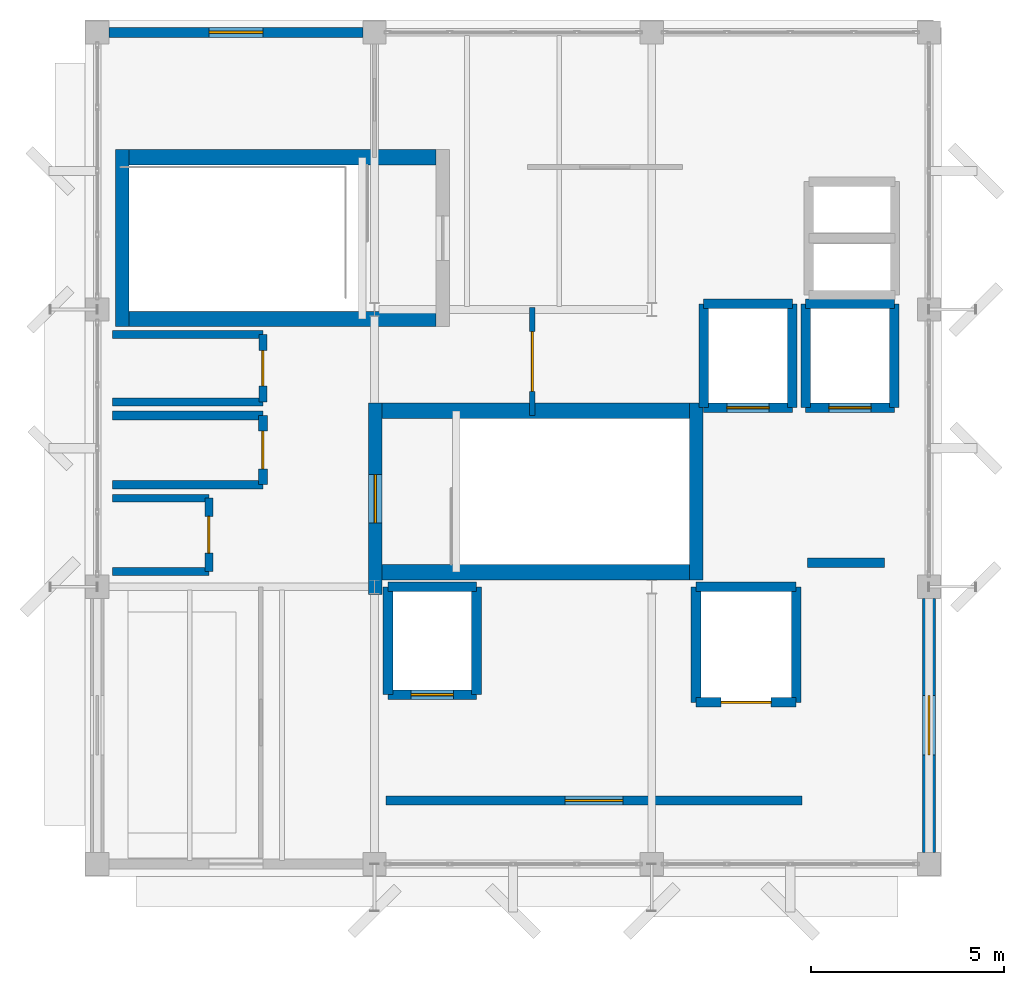
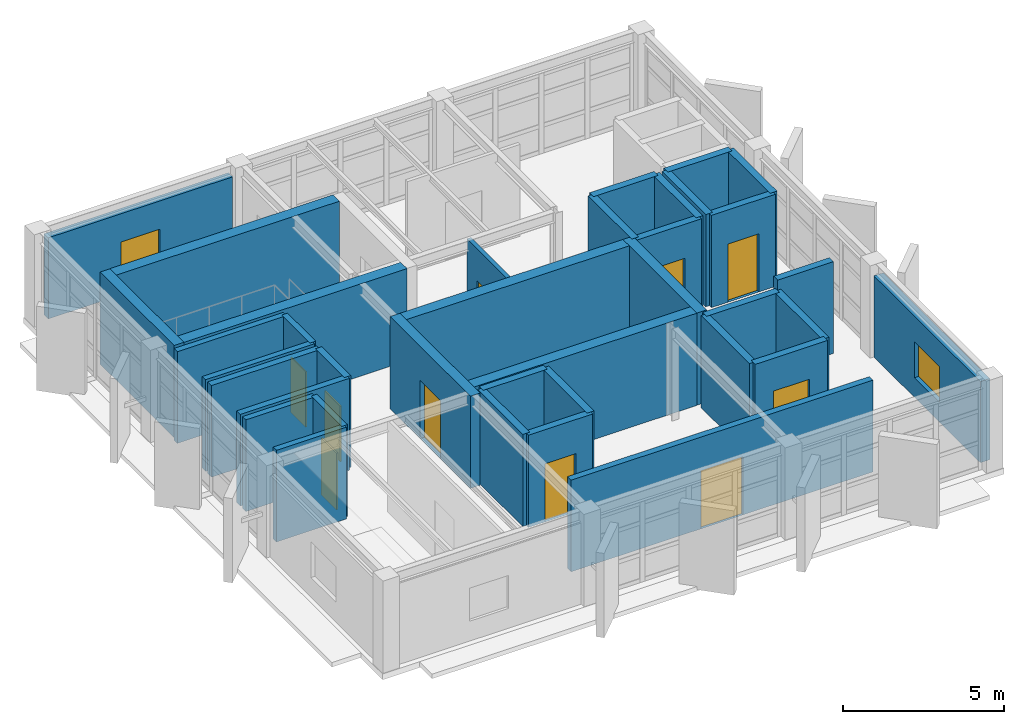
# One storey, part 9 of 13: 37 walls, 10 doors, 2 windows, 12 openings.
"""IFC4 building model written with IfcOpenShell, lengths in metres."""

from ifc_helpers import new_model, si_unit, direction, frame, frame_2d, origin, place, context, subcontext, project, spatial, rectangle, extrude, material, layer, layer_set, type_object, element, fill, save


model = new_model("IFC4")

# Units and contexts
model_context = context("Model", 3, precision=1e-05, world=origin(), true_north=direction((0.0, 1.0)))
body_context = subcontext(model_context, "Body", "Model", "MODEL_VIEW")
ifc_project = project(units=[si_unit("LENGTHUNIT", "METRE"), si_unit("AREAUNIT", "SQUARE_METRE"), si_unit("VOLUMEUNIT", "CUBIC_METRE"), si_unit("PLANEANGLEUNIT", "RADIAN"), si_unit("MASSUNIT", "GRAM", prefix="KILO")], contexts=[model_context])

# Site, building, storey
site_placement = place(None, origin())
site = spatial("IfcSite", under=ifc_project, at=site_placement, CompositionType="ELEMENT")
building_placement = place(site_placement, origin())
building = spatial("IfcBuilding", under=site, at=building_placement, Name="Kandorven Conservatory and Botanical Research Centre", CompositionType="ELEMENT")
storey_placement = place(building_placement, frame((0.0, 0.0, 63.14990234375)))
storey = spatial("IfcBuildingStorey", under=building, at=storey_placement, Name="L16", CompositionType="ELEMENT", Elevation=63.14990234375)

# Walls
ifc_material_1 = material(Name="Concrete C40/50 (M50)", Category="concrete")
ifc_layer_1 = layer(ifc_material_1, 0.39990234375)
ifc_layer_set_1 = layer_set([ifc_layer_1], Name="Concrete C40/50 (M50)")
wall_type_1 = type_object("IfcWallType", Name="Wall_CW-RC-1", PredefinedType="SHEAR", material=ifc_layer_set_1)
for number, where, z_axis, x_axis, name in (
    (1, (13.39990234375, 13.574951171875, 0.0), (0.0, 0.0, 1.0), (1.0, 0.0, 0.0), "Core stair shear wall CW-RC-1 ST-T1 L16 side A"),
    (2, (13.39990234375, 17.77490234375, 0.0), (0.0, 0.0, 1.0), (1.0, 0.0, 0.0), "Core stair shear wall CW-RC-1 ST-T1 L16 side B"),
    (3, (14.800048828125, 24.35498046875, 0.0), (0.0, 0.0, 1.0), (-1.0, 0.0, 0.0), "Core stair shear wall CW-RC-1 ST-T2 L16 side A"),
    (4, (14.800048828125, 20.155029296875, 0.0), (0.0, 0.0, 1.0), (-1.0, 0.0, 0.0), "Core stair shear wall CW-RC-1 ST-T2 L16 side B"),
):
    element("IfcWall", number, at=place(storey_placement, frame(where, z_axis=z_axis, x_axis=x_axis)), inside=storey, type_object=wall_type_1, Name=name, PredefinedType="SHEAR", context=body_context, shape_type="SweptSolid", body=[
        extrude(rectangle(XDim=7.97998046875, YDim=0.39990234375, at=frame_2d((3.989990234375, 0.0))), origin(), (0.0, 0.0, 1.0), 3.489990234375),
    ])

# Wall, opening, door
ifc_material_2 = material(Name="Concrete C40/50 (M50)", Category="concrete")
ifc_layer_2 = layer(ifc_material_2, 0.35009765625)
ifc_layer_set_2 = layer_set([ifc_layer_2], Name="Concrete C40/50 (M50)")
wall_type_2 = type_object("IfcWallType", Name="Wall_CW-RC-2", PredefinedType="SHEAR", material=ifc_layer_set_2)
wall_1_placement = place(storey_placement, frame((13.22509765625, 13.0, 0.0), z_axis=(0.0, 0.0, 1.0), x_axis=(0.0, 1.0, 0.0)))
wall_1 = element("IfcWall", 5, at=wall_1_placement, inside=storey, type_object=wall_type_2, Name="Core stair shear wall CW-RC-2 ST-T1 L16 entry", PredefinedType="SHEAR", context=body_context, shape_type="SweptSolid", body=[
    extrude(rectangle(XDim=4.969970703125, YDim=0.35009765625, at=frame_2d((2.48486328125, 0.0))), origin(), (0.0, 0.0, 1.0), 3.489990234375),
])
opening_1_placement = place(wall_1_placement, frame((1.860107421875, 0.0, 0.0)))
opening_1 = element("IfcOpeningElement", 6, at=opening_1_placement, cuts=wall_1, Name="Opening FD-1", PredefinedType="OPENING", context=body_context, shape_type="SweptSolid", body=[
    extrude(rectangle(XDim=1.25, YDim=2.199951171875, at=frame_2d((0.625, 1.10009765625))), frame((0.0, 0.18505859375, 0.0), z_axis=(0.0, -1.0, 0.0), x_axis=(1.0, 0.0, 0.0)), (0.0, 0.0, 1.0), 0.3701171875),
])
ifc_material_3 = material(Name="Galvanised hollow steel fire door assembly", Category="steel")
door_type_1 = type_object("IfcDoorType", Name="Door_FD-1", OperationType="NOTDEFINED", PredefinedType="DOOR", material=ifc_material_3)
door_1_placement = place(opening_1_placement, origin())
door_1 = element("IfcDoor", 7, at=door_1_placement, inside=storey, type_object=door_type_1, Name="Exit stair fire door FD-1 ST-T1 L16", OperationType="SINGLE_SWING_LEFT", OverallHeight=2.199951171875, OverallWidth=1.25, PredefinedType="DOOR", context=body_context, shape_type="SweptSolid", body=[
    extrude(rectangle(XDim=1.25, YDim=2.199951171875, at=frame_2d((0.625, 1.10009765625))), frame((0.0, 0.02490234375, 0.0), z_axis=(0.0, -1.0, 0.0), x_axis=(1.0, 0.0, 0.0)), (0.0, 0.0, 1.0), 0.050048828125),
])
fill(opening_1, door_1)

# Walls
for number, where, z_axis, x_axis, name in (
    (8, (21.554931640625, 13.3798828125, 0.0), (0.0, 0.0, 1.0), (0.0, 1.0, 0.0), "Core stair shear wall CW-RC-2 ST-T1 L16 far"),
    (9, (6.64501953125, 24.550048828125, 0.0), (0.0, 0.0, 1.0), (0.0, -1.0, 0.0), "Core stair shear wall CW-RC-2 ST-T2 L16 far"),
):
    element("IfcWall", number, at=place(storey_placement, frame(where, z_axis=z_axis, x_axis=x_axis)), inside=storey, type_object=wall_type_2, Name=name, PredefinedType="SHEAR", context=body_context, shape_type="SweptSolid", body=[
        extrude(rectangle(XDim=4.590087890625, YDim=0.35009765625, at=frame_2d((2.294921875, 0.0))), origin(), (0.0, 0.0, 1.0), 3.489990234375),
    ])

# Wall, opening, door
wall_2_placement = place(storey_placement, frame((21.75, 17.85009765625, 0.0), z_axis=(0.0, 0.0, 1.0), x_axis=(1.0, 0.0, 0.0)))
wall_2 = element("IfcWall", 10, at=wall_2_placement, inside=storey, type_object=wall_type_2, Name="Lift shaft wall FFL-1 L16 S", PredefinedType="SHEAR", context=body_context, shape_type="SweptSolid", body=[
    extrude(rectangle(XDim=2.300048828125, YDim=0.25, at=frame_2d((1.14990234375, 0.0))), origin(), (0.0, 0.0, 1.0), 3.489990234375),
])
opening_2_placement = place(wall_2_placement, frame((0.60009765625, 0.0, 0.0)))
opening_2 = element("IfcOpeningElement", 11, at=opening_2_placement, cuts=wall_2, Name="Opening LD-01", PredefinedType="OPENING", context=body_context, shape_type="SweptSolid", body=[
    extrude(rectangle(XDim=1.10009765625, YDim=2.199951171875, at=frame_2d((0.550048828125, 1.10009765625))), frame((0.0, 0.135009765625, 0.0), z_axis=(0.0, -1.0, 0.0), x_axis=(1.0, 0.0, 0.0)), (0.0, 0.0, 1.0), 0.27001953125),
])
ifc_material_4 = material(Name="Anodised aluminium sliding landing door", Category="aluminium")
door_type_2 = type_object("IfcDoorType", Name="Door_LD-01", OperationType="DOUBLE_DOOR_SLIDING", PredefinedType="DOOR", material=ifc_material_4)
door_2_placement = place(opening_2_placement, origin())
door_2 = element("IfcDoor", 12, at=door_2_placement, inside=storey, type_object=door_type_2, Name="Lift landing sliding door LD-01 (FFL-1 L16)", OperationType="DOUBLE_DOOR_SLIDING", OverallHeight=2.199951171875, OverallWidth=1.10009765625, PredefinedType="DOOR", context=body_context, shape_type="SweptSolid", body=[
    extrude(rectangle(XDim=1.10009765625, YDim=2.199951171875, at=frame_2d((0.550048828125, 1.10009765625))), frame((0.0, 0.02490234375, 0.0), z_axis=(0.0, -1.0, 0.0), x_axis=(1.0, 0.0, 0.0)), (0.0, 0.0, 1.0), 0.050048828125),
])
fill(opening_2, door_2)

# Walls
wall_3_placement = place(storey_placement, frame((21.75, 20.550048828125, 0.0), z_axis=(0.0, 0.0, 1.0), x_axis=(1.0, 0.0, 0.0)))
element("IfcWall", 13, at=wall_3_placement, inside=storey, type_object=wall_type_2, Name="Lift shaft wall FFL-1 L16 N", PredefinedType="SHEAR", context=body_context, shape_type="SweptSolid", body=[
    extrude(rectangle(XDim=2.300048828125, YDim=0.25, at=frame_2d((1.14990234375, 0.0))), origin(), (0.0, 0.0, 1.0), 3.489990234375),
])
for number, where, z_axis, x_axis, name in (
    (14, (21.75, 17.85009765625, 0.0), (0.0, 0.0, 1.0), (0.0, 1.0, 0.0), "Lift shaft wall FFL-1 L16 W"),
    (15, (24.050048828125, 17.85009765625, 0.0), (0.0, 0.0, 1.0), (0.0, 1.0, 0.0), "Lift shaft wall FFL-1 L16 E"),
):
    element("IfcWall", number, at=place(storey_placement, frame(where, z_axis=z_axis, x_axis=x_axis)), inside=storey, type_object=wall_type_2, Name=name, PredefinedType="SHEAR", context=body_context, shape_type="SweptSolid", body=[
        extrude(rectangle(XDim=2.699951171875, YDim=0.25, at=frame_2d((1.35009765625, 0.0))), origin(), (0.0, 0.0, 1.0), 3.489990234375),
    ])

# Wall, opening, door
wall_4_placement = place(storey_placement, frame((24.39990234375, 17.85009765625, 0.0), z_axis=(0.0, 0.0, 1.0), x_axis=(1.0, 0.0, 0.0)))
wall_4 = element("IfcWall", 16, at=wall_4_placement, inside=storey, type_object=wall_type_2, Name="Lift shaft wall FFL-2 L16 S", PredefinedType="SHEAR", context=body_context, shape_type="SweptSolid", body=[
    extrude(rectangle(XDim=2.300048828125, YDim=0.25, at=frame_2d((1.14990234375, 0.0))), origin(), (0.0, 0.0, 1.0), 3.489990234375),
])
opening_3_placement = place(wall_4_placement, frame((0.60009765625, 0.0, 0.0)))
opening_3 = element("IfcOpeningElement", 17, at=opening_3_placement, cuts=wall_4, Name="Opening LD-01", PredefinedType="OPENING", context=body_context, shape_type="SweptSolid", body=[
    extrude(rectangle(XDim=1.10009765625, YDim=2.199951171875, at=frame_2d((0.550048828125, 1.10009765625))), frame((0.0, 0.135009765625, 0.0), z_axis=(0.0, -1.0, 0.0), x_axis=(1.0, 0.0, 0.0)), (0.0, 0.0, 1.0), 0.27001953125),
])
door_3_placement = place(opening_3_placement, origin())
door_3 = element("IfcDoor", 18, at=door_3_placement, inside=storey, type_object=door_type_2, Name="Lift landing sliding door LD-01 (FFL-2 L16)", OperationType="DOUBLE_DOOR_SLIDING", OverallHeight=2.199951171875, OverallWidth=1.10009765625, PredefinedType="DOOR", context=body_context, shape_type="SweptSolid", body=[
    extrude(rectangle(XDim=1.10009765625, YDim=2.199951171875, at=frame_2d((0.550048828125, 1.10009765625))), frame((0.0, 0.02490234375, 0.0), z_axis=(0.0, -1.0, 0.0), x_axis=(1.0, 0.0, 0.0)), (0.0, 0.0, 1.0), 0.050048828125),
])
fill(opening_3, door_3)

# Walls
wall_5_placement = place(storey_placement, frame((24.39990234375, 20.550048828125, 0.0), z_axis=(0.0, 0.0, 1.0), x_axis=(1.0, 0.0, 0.0)))
element("IfcWall", 19, at=wall_5_placement, inside=storey, type_object=wall_type_2, Name="Lift shaft wall FFL-2 L16 N", PredefinedType="SHEAR", context=body_context, shape_type="SweptSolid", body=[
    extrude(rectangle(XDim=2.300048828125, YDim=0.25, at=frame_2d((1.14990234375, 0.0))), origin(), (0.0, 0.0, 1.0), 3.489990234375),
])
for number, where, z_axis, x_axis, name in (
    (20, (24.39990234375, 17.85009765625, 0.0), (0.0, 0.0, 1.0), (0.0, 1.0, 0.0), "Lift shaft wall FFL-2 L16 W"),
    (21, (26.699951171875, 17.85009765625, 0.0), (0.0, 0.0, 1.0), (0.0, 1.0, 0.0), "Lift shaft wall FFL-2 L16 E"),
):
    element("IfcWall", number, at=place(storey_placement, frame(where, z_axis=z_axis, x_axis=x_axis)), inside=storey, type_object=wall_type_2, Name=name, PredefinedType="SHEAR", context=body_context, shape_type="SweptSolid", body=[
        extrude(rectangle(XDim=2.699951171875, YDim=0.25, at=frame_2d((1.35009765625, 0.0))), origin(), (0.0, 0.0, 1.0), 3.489990234375),
    ])

# Wall, opening, door
wall_6_placement = place(storey_placement, frame((13.550048828125, 10.39990234375, 0.0), z_axis=(0.0, 0.0, 1.0), x_axis=(1.0, 0.0, 0.0)))
wall_6 = element("IfcWall", 22, at=wall_6_placement, inside=storey, type_object=wall_type_2, Name="Lift shaft wall PL-1 L16 S", PredefinedType="SHEAR", context=body_context, shape_type="SweptSolid", body=[
    extrude(rectangle(XDim=2.300048828125, YDim=0.25, at=frame_2d((1.14990234375, 0.0))), origin(), (0.0, 0.0, 1.0), 3.489990234375),
])
opening_4_placement = place(wall_6_placement, frame((0.60009765625, 0.0, 0.0)))
opening_4 = element("IfcOpeningElement", 23, at=opening_4_placement, cuts=wall_6, Name="Opening LD-01", PredefinedType="OPENING", context=body_context, shape_type="SweptSolid", body=[
    extrude(rectangle(XDim=1.10009765625, YDim=2.199951171875, at=frame_2d((0.550048828125, 1.10009765625))), frame((0.0, 0.135009765625, 0.0), z_axis=(0.0, -1.0, 0.0), x_axis=(1.0, 0.0, 0.0)), (0.0, 0.0, 1.0), 0.27001953125),
])
door_4_placement = place(opening_4_placement, origin())
door_4 = element("IfcDoor", 24, at=door_4_placement, inside=storey, type_object=door_type_2, Name="Lift landing sliding door LD-01 (PL-1 L16)", OperationType="DOUBLE_DOOR_SLIDING", OverallHeight=2.199951171875, OverallWidth=1.10009765625, PredefinedType="DOOR", context=body_context, shape_type="SweptSolid", body=[
    extrude(rectangle(XDim=1.10009765625, YDim=2.199951171875, at=frame_2d((0.550048828125, 1.10009765625))), frame((0.0, 0.02490234375, 0.0), z_axis=(0.0, -1.0, 0.0), x_axis=(1.0, 0.0, 0.0)), (0.0, 0.0, 1.0), 0.050048828125),
])
fill(opening_4, door_4)

# Walls
wall_7_placement = place(storey_placement, frame((13.550048828125, 13.199951171875, 0.0), z_axis=(0.0, 0.0, 1.0), x_axis=(1.0, 0.0, 0.0)))
element("IfcWall", 25, at=wall_7_placement, inside=storey, type_object=wall_type_2, Name="Lift shaft wall PL-1 L16 N", PredefinedType="SHEAR", context=body_context, shape_type="SweptSolid", body=[
    extrude(rectangle(XDim=2.300048828125, YDim=0.25, at=frame_2d((1.14990234375, 0.0))), origin(), (0.0, 0.0, 1.0), 3.489990234375),
])
for number, where, z_axis, x_axis, name in (
    (26, (13.550048828125, 10.39990234375, 0.0), (0.0, 0.0, 1.0), (0.0, 1.0, 0.0), "Lift shaft wall PL-1 L16 W"),
    (27, (15.85009765625, 10.39990234375, 0.0), (0.0, 0.0, 1.0), (0.0, 1.0, 0.0), "Lift shaft wall PL-1 L16 E"),
):
    element("IfcWall", number, at=place(storey_placement, frame(where, z_axis=z_axis, x_axis=x_axis)), inside=storey, type_object=wall_type_2, Name=name, PredefinedType="SHEAR", context=body_context, shape_type="SweptSolid", body=[
        extrude(rectangle(XDim=2.800048828125, YDim=0.25, at=frame_2d((1.39990234375, 0.0))), origin(), (0.0, 0.0, 1.0), 3.489990234375),
    ])

# Wall, opening, door
wall_8_placement = place(storey_placement, frame((21.550048828125, 10.199951171875, 0.0), z_axis=(0.0, 0.0, 1.0), x_axis=(1.0, 0.0, 0.0)))
wall_8 = element("IfcWall", 28, at=wall_8_placement, inside=storey, type_object=wall_type_2, Name="Lift shaft wall GL-1 L16 S", PredefinedType="SHEAR", context=body_context, shape_type="SweptSolid", body=[
    extrude(rectangle(XDim=2.599853515625, YDim=0.25, at=frame_2d((1.2998046875, 0.0))), origin(), (0.0, 0.0, 1.0), 3.489990234375),
])
opening_5_placement = place(wall_8_placement, frame((0.64990234375, 0.0, 0.0)))
opening_5 = element("IfcOpeningElement", 29, at=opening_5_placement, cuts=wall_8, Name="Opening LD-02", PredefinedType="OPENING", context=body_context, shape_type="SweptSolid", body=[
    extrude(rectangle(XDim=1.300048828125, YDim=2.25, at=frame_2d((0.64990234375, 1.125))), frame((0.0, 0.135009765625, 0.0), z_axis=(0.0, -1.0, 0.0), x_axis=(1.0, 0.0, 0.0)), (0.0, 0.0, 1.0), 0.27001953125),
])
ifc_material_5 = material(Name="Anodised aluminium sliding landing door", Category="aluminium")
door_type_3 = type_object("IfcDoorType", Name="Door_LD-02", OperationType="DOUBLE_DOOR_SLIDING", PredefinedType="DOOR", material=ifc_material_5)
door_5_placement = place(opening_5_placement, origin())
door_5 = element("IfcDoor", 30, at=door_5_placement, inside=storey, type_object=door_type_3, Name="Lift landing sliding door LD-02 (GL-1 L16)", OperationType="DOUBLE_DOOR_SLIDING", OverallHeight=2.25, OverallWidth=1.300048828125, PredefinedType="DOOR", context=body_context, shape_type="SweptSolid", body=[
    extrude(rectangle(XDim=1.300048828125, YDim=2.25, at=frame_2d((0.64990234375, 1.125))), frame((0.0, 0.02490234375, 0.0), z_axis=(0.0, -1.0, 0.0), x_axis=(1.0, 0.0, 0.0)), (0.0, 0.0, 1.0), 0.050048828125),
])
fill(opening_5, door_5)

# Walls
wall_9_placement = place(storey_placement, frame((21.550048828125, 13.199951171875, 0.0), z_axis=(0.0, 0.0, 1.0), x_axis=(1.0, 0.0, 0.0)))
element("IfcWall", 31, at=wall_9_placement, inside=storey, type_object=wall_type_2, Name="Lift shaft wall GL-1 L16 N", PredefinedType="SHEAR", context=body_context, shape_type="SweptSolid", body=[
    extrude(rectangle(XDim=2.599853515625, YDim=0.25, at=frame_2d((1.2998046875, 0.0))), origin(), (0.0, 0.0, 1.0), 3.489990234375),
])
for number, where, z_axis, x_axis, name in (
    (32, (21.550048828125, 10.199951171875, 0.0), (0.0, 0.0, 1.0), (0.0, 1.0, 0.0), "Lift shaft wall GL-1 L16 W"),
    (33, (24.14990234375, 10.199951171875, 0.0), (0.0, 0.0, 1.0), (0.0, 1.0, 0.0), "Lift shaft wall GL-1 L16 E"),
):
    element("IfcWall", number, at=place(storey_placement, frame(where, z_axis=z_axis, x_axis=x_axis)), inside=storey, type_object=wall_type_2, Name=name, PredefinedType="SHEAR", context=body_context, shape_type="SweptSolid", body=[
        extrude(rectangle(XDim=3.0, YDim=0.25, at=frame_2d((1.5, 0.0))), origin(), (0.0, 0.0, 1.0), 3.489990234375),
    ])

# Wall, opening, window
ifc_material_6 = material(Name="Concrete C32/40 (M40)", Category="concrete")
ifc_layer_3 = layer(ifc_material_6, 0.340087890625)
ifc_layer_set_3 = layer_set([ifc_layer_3], Name="Concrete C32/40 (M40)")
wall_type_3 = type_object("IfcWallType", Name="Wall_EW-02", PredefinedType="STANDARD", material=ifc_layer_set_3)
wall_10_placement = place(storey_placement, frame((27.60009765625, 6.300048828125, 0.0), z_axis=(0.0, 0.0, 1.0), x_axis=(0.0, 1.0, 0.0)))
wall_10 = element("IfcWall", 34, at=wall_10_placement, inside=storey, type_object=wall_type_3, Name="Tower concrete facade wall EW-02 E L16", PredefinedType="STANDARD", context=body_context, shape_type="SweptSolid", body=[
    extrude(rectangle(XDim=6.599853515625, YDim=0.340087890625, at=frame_2d((3.2998046875, 0.0))), origin(), (0.0, 0.0, 1.0), 3.070068359375),
])
opening_6_placement = place(wall_10_placement, frame((2.52490234375, 0.0, 0.75)))
opening_6 = element("IfcOpeningElement", 35, at=opening_6_placement, cuts=wall_10, Name="Opening W-33", PredefinedType="OPENING", context=body_context, shape_type="SweptSolid", body=[
    extrude(rectangle(XDim=1.550048828125, YDim=1.35009765625, at=frame_2d((0.77490234375, 0.675048828125))), frame((0.0, 0.179931640625, 0.0), z_axis=(0.0, -1.0, 0.0), x_axis=(1.0, 0.0, 0.0)), (0.0, 0.0, 1.0), 0.360107421875),
])
ifc_material_7 = material(Name="Double-glazed solar-control low-E glass", Category="glass")
window_type_1 = type_object("IfcWindowType", Name="Win_W-33", PartitioningType="DOUBLE_PANEL_VERTICAL", PredefinedType="WINDOW", material=ifc_material_7)
window_1_placement = place(opening_6_placement, origin())
window_1 = element("IfcWindow", 36, at=window_1_placement, inside=storey, type_object=window_type_1, Name="Tower recessed solar window W-33", OverallHeight=1.35009765625, OverallWidth=1.550048828125, PartitioningType="SINGLE_PANEL", PredefinedType="WINDOW", context=body_context, shape_type="SweptSolid", body=[
    extrude(rectangle(XDim=1.550048828125, YDim=1.35009765625, at=frame_2d((0.77490234375, 0.675048828125))), frame((0.0, 0.030029296875, 0.0), z_axis=(0.0, -1.0, 0.0), x_axis=(1.0, 0.0, 0.0)), (0.0, 0.0, 1.0), 0.06005859375),
])
fill(opening_6, window_1)

ifc_material_8 = material(Name="Concrete C32/40 (M40)", Category="concrete")
ifc_layer_4 = layer(ifc_material_8, 0.260009765625)
ifc_layer_set_4 = layer_set([ifc_layer_4], Name="Concrete C32/40 (M40)")
wall_type_4 = type_object("IfcWallType", Name="Wall_EW-06", PredefinedType="STANDARD", material=ifc_layer_set_4)
wall_11_placement = place(storey_placement, frame((6.300048828125, 27.60009765625, 0.0), z_axis=(0.0, 0.0, 1.0), x_axis=(1.0, 0.0, 0.0)))
wall_11 = element("IfcWall", 37, at=wall_11_placement, inside=storey, type_object=wall_type_4, Name="Tower concrete facade wall EW-06 N L16", PredefinedType="STANDARD", context=body_context, shape_type="SweptSolid", body=[
    extrude(rectangle(XDim=6.599853515625, YDim=0.260009765625, at=frame_2d((3.2998046875, 0.0))), origin(), (0.0, 0.0, 1.0), 3.070068359375),
])
opening_7_placement = place(wall_11_placement, frame((2.60009765625, 0.0, 0.75)))
opening_7 = element("IfcOpeningElement", 38, at=opening_7_placement, cuts=wall_11, Name="Opening W-46", PredefinedType="OPENING", context=body_context, shape_type="SweptSolid", body=[
    extrude(rectangle(XDim=1.39990234375, YDim=1.25, at=frame_2d((0.699951171875, 0.625))), frame((0.0, 0.139892578125, 0.0), z_axis=(0.0, -1.0, 0.0), x_axis=(1.0, 0.0, 0.0)), (0.0, 0.0, 1.0), 0.280029296875),
])
ifc_material_9 = material(Name="Double-glazed solar-control low-E glass", Category="glass")
window_type_2 = type_object("IfcWindowType", Name="Win_W-46", PartitioningType="DOUBLE_PANEL_VERTICAL", PredefinedType="WINDOW", material=ifc_material_9)
window_2_placement = place(opening_7_placement, origin())
window_2 = element("IfcWindow", 39, at=window_2_placement, inside=storey, type_object=window_type_2, Name="Tower recessed solar window W-46", OverallHeight=1.25, OverallWidth=1.39990234375, PartitioningType="SINGLE_PANEL", PredefinedType="WINDOW", context=body_context, shape_type="SweptSolid", body=[
    extrude(rectangle(XDim=1.39990234375, YDim=1.25, at=frame_2d((0.699951171875, 0.625))), frame((0.0, 0.030029296875, 0.0), z_axis=(0.0, -1.0, 0.0), x_axis=(1.0, 0.0, 0.0)), (0.0, 0.0, 1.0), 0.06005859375),
])
fill(opening_7, window_2)

# Wall, opening, door
ifc_material_10 = material(Name="Fire-rated acoustic gypsum board partition", Category="gypsum")
ifc_layer_5 = layer(ifc_material_10, 0.14599609375)
ifc_layer_set_5 = layer_set([ifc_layer_5], Name="Fire-rated acoustic gypsum board partition")
wall_type_5 = type_object("IfcWallType", Name="Wall_IW-15", PredefinedType="PARTITIONING", material=ifc_layer_set_5)
wall_12_placement = place(storey_placement, frame((17.300048828125, 17.64990234375, 0.0), z_axis=(0.0, 0.0, 1.0), x_axis=(0.0, 1.0, 0.0)))
wall_12 = element("IfcWall", 40, at=wall_12_placement, inside=storey, type_object=wall_type_5, Name="Interior partition wall IW-15 (Botanical Climate Archive Reading Room L16)", PredefinedType="PARTITIONING", context=body_context, shape_type="SweptSolid", body=[
    extrude(rectangle(XDim=2.800048828125, YDim=0.14599609375, at=frame_2d((1.39990234375, 0.0))), origin(), (0.0, 0.0, 1.0), 3.47021484375),
])
opening_8_placement = place(wall_12_placement, frame((0.625, 0.0, 0.0)))
opening_8 = element("IfcOpeningElement", 41, at=opening_8_placement, cuts=wall_12, Name="Opening D-08", PredefinedType="OPENING", context=body_context, shape_type="SweptSolid", body=[
    extrude(rectangle(XDim=1.550048828125, YDim=2.25, at=frame_2d((0.77490234375, 1.125))), frame((0.0, 0.0830078125, 0.0), z_axis=(0.0, -1.0, 0.0), x_axis=(1.0, 0.0, 0.0)), (0.0, 0.0, 1.0), 0.166015625),
])
ifc_material_11 = material(Name="Solid core acoustic teak-veneered timber leaf", Category="wood")
door_type_4 = type_object("IfcDoorType", Name="Door_D-08", OperationType="NOTDEFINED", PredefinedType="DOOR", material=ifc_material_11)
door_6_placement = place(opening_8_placement, frame((1.550048828125, 0.0, 0.0), z_axis=(0.0, 0.0, 1.0), x_axis=(-1.0, 0.0, 0.0)))
door_6 = element("IfcDoor", 42, at=door_6_placement, inside=storey, type_object=door_type_4, Name="Interior door D-08 to Botanical Climate Archive Reading Room L16", OperationType="DOUBLE_DOOR_SINGLE_SWING", OverallHeight=2.25, OverallWidth=1.550048828125, PredefinedType="DOOR", context=body_context, shape_type="SweptSolid", body=[
    extrude(rectangle(XDim=1.550048828125, YDim=2.25, at=frame_2d((0.77490234375, 1.125))), frame((0.0, 0.02490234375, 0.0), z_axis=(0.0, -1.0, 0.0), x_axis=(1.0, 0.0, 0.0)), (0.0, 0.0, 1.0), 0.050048828125),
])
fill(opening_8, door_6)

# Wall
ifc_material_12 = material(Name="Concrete C32/40 (M40)", Category="concrete")
ifc_layer_6 = layer(ifc_material_12, 0.25)
ifc_layer_set_6 = layer_set([ifc_layer_6], Name="Concrete C32/40 (M40)")
wall_type_6 = type_object("IfcWallType", Name="Wall_IW-FR-1", PredefinedType="SOLIDWALL", material=ifc_layer_set_6)
wall_13_placement = place(storey_placement, frame((24.449951171875, 13.820068359375, 0.0), z_axis=(0.0, 0.0, 1.0), x_axis=(1.0, 0.0, 0.0)))
element("IfcWall", 43, at=wall_13_placement, inside=storey, type_object=wall_type_6, Name="Interior fire partition wall IW-FR-1 (Firefighting Lift Lobby L16)", PredefinedType="SOLIDWALL", context=body_context, shape_type="SweptSolid", body=[
    extrude(rectangle(XDim=2.0, YDim=0.25, at=frame_2d((1.0, 0.0))), origin(), (0.0, 0.0, 1.0), 3.47021484375),
])

# Wall, opening, door
ifc_material_13 = material(Name="Concrete C32/40 (M40)", Category="concrete")
ifc_layer_7 = layer(ifc_material_13, 0.22509765625)
ifc_layer_set_7 = layer_set([ifc_layer_7], Name="Concrete C32/40 (M40)")
wall_type_7 = type_object("IfcWallType", Name="Wall_IW-FR-2", PredefinedType="SOLIDWALL", material=ifc_layer_set_7)
wall_14_placement = place(storey_placement, frame((13.5, 7.64990234375, 0.0), z_axis=(0.0, 0.0, 1.0), x_axis=(1.0, 0.0, 0.0)))
wall_14 = element("IfcWall", 44, at=wall_14_placement, inside=storey, type_object=wall_type_7, Name="Interior fire partition wall IW-FR-2 (Alpine and Himalayan Flora Reference Vault L16)", PredefinedType="SOLIDWALL", context=body_context, shape_type="SweptSolid", body=[
    extrude(rectangle(XDim=10.800048828125, YDim=0.22509765625, at=frame_2d((5.39990234375, 0.0))), origin(), (0.0, 0.0, 1.0), 3.47021484375),
])
opening_9_placement = place(wall_14_placement, frame((4.64990234375, 0.0, 0.0)))
opening_9 = element("IfcOpeningElement", 45, at=opening_9_placement, cuts=wall_14, Name="Opening FD-3", PredefinedType="OPENING", context=body_context, shape_type="SweptSolid", body=[
    extrude(rectangle(XDim=1.5, YDim=2.199951171875, at=frame_2d((0.75, 1.10009765625))), frame((0.0, 0.12255859375, 0.0), z_axis=(0.0, -1.0, 0.0), x_axis=(1.0, 0.0, 0.0)), (0.0, 0.0, 1.0), 0.2451171875),
])
ifc_material_14 = material(Name="Galvanised hollow steel fire door assembly", Category="steel")
door_type_5 = type_object("IfcDoorType", Name="Door_FD-3", OperationType="NOTDEFINED", PredefinedType="DOOR", material=ifc_material_14)
door_7_placement = place(opening_9_placement, origin())
door_7 = element("IfcDoor", 46, at=door_7_placement, inside=storey, type_object=door_type_5, Name="Interior door FD-3 to Alpine and Himalayan Flora Reference Vault L16", OperationType="SINGLE_SWING_LEFT", OverallHeight=2.199951171875, OverallWidth=1.5, PredefinedType="DOOR", context=body_context, shape_type="SweptSolid", body=[
    extrude(rectangle(XDim=1.5, YDim=2.199951171875, at=frame_2d((0.75, 1.10009765625))), frame((0.0, 0.02490234375, 0.0), z_axis=(0.0, -1.0, 0.0), x_axis=(1.0, 0.0, 0.0)), (0.0, 0.0, 1.0), 0.050048828125),
])
fill(opening_9, door_7)

ifc_material_15 = material(Name="Autoclaved aerated concrete blockwork masonry", Category="masonry")
ifc_layer_8 = layer(ifc_material_15, 0.22998046875)
ifc_layer_set_8 = layer_set([ifc_layer_8], Name="Autoclaved aerated concrete blockwork masonry")
wall_type_8 = type_object("IfcWallType", Name="Wall_PW-PL-1", PredefinedType="PLUMBINGWALL", material=ifc_layer_set_8)
wall_15_placement = place(storey_placement, frame((10.300048828125, 15.85009765625, 0.0), z_axis=(0.0, 0.0, 1.0), x_axis=(0.0, 1.0, 0.0)))
wall_15 = element("IfcWall", 47, at=wall_15_placement, inside=storey, type_object=wall_type_8, Name="Interior partition wall PW-PL-1 (Staff Female WC L16)", PredefinedType="PLUMBINGWALL", context=body_context, shape_type="SweptSolid", body=[
    extrude(rectangle(XDim=1.7998046875, YDim=0.22998046875, at=frame_2d((0.89990234375, 0.0))), origin(), (0.0, 0.0, 1.0), 3.47021484375),
])
opening_10_placement = place(wall_15_placement, frame((0.409912109375, 0.0, 0.0)))
opening_10 = element("IfcOpeningElement", 48, at=opening_10_placement, cuts=wall_15, Name="Opening D-12", PredefinedType="OPENING", context=body_context, shape_type="SweptSolid", body=[
    extrude(rectangle(XDim=0.97998046875, YDim=2.10009765625, at=frame_2d((0.489990234375, 1.050048828125))), frame((0.0, 0.125, 0.0), z_axis=(0.0, -1.0, 0.0), x_axis=(1.0, 0.0, 0.0)), (0.0, 0.0, 1.0), 0.25),
])
ifc_material_16 = material(Name="Solid core acoustic teak-veneered timber leaf", Category="wood")
door_type_6 = type_object("IfcDoorType", Name="Door_D-12", OperationType="NOTDEFINED", PredefinedType="DOOR", material=ifc_material_16)
door_8_placement = place(opening_10_placement, frame((0.97998046875, 0.0, 0.0), z_axis=(0.0, 0.0, 1.0), x_axis=(-1.0, 0.0, 0.0)))
door_8 = element("IfcDoor", 49, at=door_8_placement, inside=storey, type_object=door_type_6, Name="Interior door D-12 to Staff Female WC L16", OperationType="SINGLE_SWING_RIGHT", OverallHeight=2.10009765625, OverallWidth=0.97998046875, PredefinedType="DOOR", context=body_context, shape_type="SweptSolid", body=[
    extrude(rectangle(XDim=0.97998046875, YDim=2.10009765625, at=frame_2d((0.489990234375, 1.050048828125))), frame((0.0, 0.02490234375, 0.0), z_axis=(0.0, -1.0, 0.0), x_axis=(1.0, 0.0, 0.0)), (0.0, 0.0, 1.0), 0.050048828125),
])
fill(opening_10, door_8)

# Walls
for number, where, z_axis, x_axis, name in (
    (50, (6.39990234375, 15.85009765625, 0.0), (0.0, 0.0, 1.0), (1.0, 0.0, 0.0), "Sanitary enclosure wall PW-PL-1 (Staff Female WC L16 S)"),
    (51, (6.39990234375, 17.64990234375, 0.0), (0.0, 0.0, 1.0), (1.0, 0.0, 0.0), "Sanitary enclosure wall PW-PL-1 (Staff Female WC L16 N)"),
):
    element("IfcWall", number, at=place(storey_placement, frame(where, z_axis=z_axis, x_axis=x_axis)), inside=storey, type_object=wall_type_8, Name=name, PredefinedType="PLUMBINGWALL", context=body_context, shape_type="SweptSolid", body=[
        extrude(rectangle(XDim=3.900146484375, YDim=0.22998046875, at=frame_2d((1.9501953125, 0.0))), origin(), (0.0, 0.0, 1.0), 3.47021484375),
    ])

# Wall, opening, door
ifc_material_17 = material(Name="Autoclaved aerated concrete blockwork masonry", Category="masonry")
ifc_layer_9 = layer(ifc_material_17, 0.205078125)
ifc_layer_set_9 = layer_set([ifc_layer_9], Name="Autoclaved aerated concrete blockwork masonry")
wall_type_9 = type_object("IfcWallType", Name="Wall_PW-PL-2", PredefinedType="PLUMBINGWALL", material=ifc_layer_set_9)
wall_16_placement = place(storey_placement, frame((8.89990234375, 13.60009765625, 0.0), z_axis=(0.0, 0.0, 1.0), x_axis=(0.0, 1.0, 0.0)))
wall_16 = element("IfcWall", 52, at=wall_16_placement, inside=storey, type_object=wall_type_9, Name="Interior partition wall PW-PL-2 (Accessible WC L16)", PredefinedType="PLUMBINGWALL", context=body_context, shape_type="SweptSolid", body=[
    extrude(rectangle(XDim=1.89990234375, YDim=0.205078125, at=frame_2d((0.949951171875, 0.0))), origin(), (0.0, 0.0, 1.0), 3.47021484375),
])
opening_11_placement = place(wall_16_placement, frame((0.47509765625, 0.0, 0.0)))
opening_11 = element("IfcOpeningElement", 53, at=opening_11_placement, cuts=wall_16, Name="Opening D-01", PredefinedType="OPENING", context=body_context, shape_type="SweptSolid", body=[
    extrude(rectangle(XDim=0.949951171875, YDim=2.14990234375, at=frame_2d((0.47509765625, 1.074951171875))), frame((0.0, 0.112548828125, 0.0), z_axis=(0.0, -1.0, 0.0), x_axis=(1.0, 0.0, 0.0)), (0.0, 0.0, 1.0), 0.22509765625),
])
ifc_material_18 = material(Name="Solid core acoustic teak-veneered timber leaf", Category="wood")
door_type_7 = type_object("IfcDoorType", Name="Door_D-01", OperationType="NOTDEFINED", PredefinedType="DOOR", material=ifc_material_18)
door_9_placement = place(opening_11_placement, origin())
door_9 = element("IfcDoor", 54, at=door_9_placement, inside=storey, type_object=door_type_7, Name="Interior door D-01 to Accessible WC L16", OperationType="SINGLE_SWING_LEFT", OverallHeight=2.14990234375, OverallWidth=0.949951171875, PredefinedType="DOOR", context=body_context, shape_type="SweptSolid", body=[
    extrude(rectangle(XDim=0.949951171875, YDim=2.14990234375, at=frame_2d((0.47509765625, 1.074951171875))), frame((0.0, 0.02490234375, 0.0), z_axis=(0.0, -1.0, 0.0), x_axis=(1.0, 0.0, 0.0)), (0.0, 0.0, 1.0), 0.050048828125),
])
fill(opening_11, door_9)

# Walls
for number, where, z_axis, x_axis, name in (
    (55, (6.39990234375, 13.60009765625, 0.0), (0.0, 0.0, 1.0), (1.0, 0.0, 0.0), "Sanitary enclosure wall PW-PL-2 (Accessible WC L16 S)"),
    (56, (6.39990234375, 15.5, 0.0), (0.0, 0.0, 1.0), (1.0, 0.0, 0.0), "Sanitary enclosure wall PW-PL-2 (Accessible WC L16 N)"),
):
    element("IfcWall", number, at=place(storey_placement, frame(where, z_axis=z_axis, x_axis=x_axis)), inside=storey, type_object=wall_type_9, Name=name, PredefinedType="PLUMBINGWALL", context=body_context, shape_type="SweptSolid", body=[
        extrude(rectangle(XDim=2.5, YDim=0.205078125, at=frame_2d((1.25, 0.0))), origin(), (0.0, 0.0, 1.0), 3.47021484375),
    ])

# Wall, opening, door
wall_17_placement = place(storey_placement, frame((10.300048828125, 18.0, 0.0), z_axis=(0.0, 0.0, 1.0), x_axis=(0.0, 1.0, 0.0)))
wall_17 = element("IfcWall", 57, at=wall_17_placement, inside=storey, type_object=wall_type_9, Name="Interior partition wall PW-PL-2 (Staff Male WC L16)", PredefinedType="PLUMBINGWALL", context=body_context, shape_type="SweptSolid", body=[
    extrude(rectangle(XDim=1.75, YDim=0.205078125, at=frame_2d((0.875, 0.0))), origin(), (0.0, 0.0, 1.0), 3.47021484375),
])
opening_12_placement = place(wall_17_placement, frame((0.4150390625, 0.0, 0.0)))
opening_12 = element("IfcOpeningElement", 58, at=opening_12_placement, cuts=wall_17, Name="Opening D-11", PredefinedType="OPENING", context=body_context, shape_type="SweptSolid", body=[
    extrude(rectangle(XDim=0.919921875, YDim=2.10009765625, at=frame_2d((0.4599609375, 1.050048828125))), frame((0.0, 0.112548828125, 0.0), z_axis=(0.0, -1.0, 0.0), x_axis=(1.0, 0.0, 0.0)), (0.0, 0.0, 1.0), 0.22509765625),
])
ifc_material_19 = material(Name="Solid core acoustic teak-veneered timber leaf", Category="wood")
door_type_8 = type_object("IfcDoorType", Name="Door_D-11", OperationType="NOTDEFINED", PredefinedType="DOOR", material=ifc_material_19)
door_10_placement = place(opening_12_placement, origin())
door_10 = element("IfcDoor", 59, at=door_10_placement, inside=storey, type_object=door_type_8, Name="Interior door D-11 to Staff Male WC L16", OperationType="SINGLE_SWING_LEFT", OverallHeight=2.10009765625, OverallWidth=0.919921875, PredefinedType="DOOR", context=body_context, shape_type="SweptSolid", body=[
    extrude(rectangle(XDim=0.919921875, YDim=2.10009765625, at=frame_2d((0.4599609375, 1.050048828125))), frame((0.0, 0.02490234375, 0.0), z_axis=(0.0, -1.0, 0.0), x_axis=(1.0, 0.0, 0.0)), (0.0, 0.0, 1.0), 0.050048828125),
])
fill(opening_12, door_10)

# Walls
for number, where, z_axis, x_axis, name in (
    (60, (6.39990234375, 18.0, 0.0), (0.0, 0.0, 1.0), (1.0, 0.0, 0.0), "Sanitary enclosure wall PW-PL-2 (Staff Male WC L16 S)"),
    (61, (6.39990234375, 19.75, 0.0), (0.0, 0.0, 1.0), (1.0, 0.0, 0.0), "Sanitary enclosure wall PW-PL-2 (Staff Male WC L16 N)"),
):
    element("IfcWall", number, at=place(storey_placement, frame(where, z_axis=z_axis, x_axis=x_axis)), inside=storey, type_object=wall_type_9, Name=name, PredefinedType="PLUMBINGWALL", context=body_context, shape_type="SweptSolid", body=[
        extrude(rectangle(XDim=3.900146484375, YDim=0.205078125, at=frame_2d((1.9501953125, 0.0))), origin(), (0.0, 0.0, 1.0), 3.47021484375),
    ])

save(model, "model.ifc")
